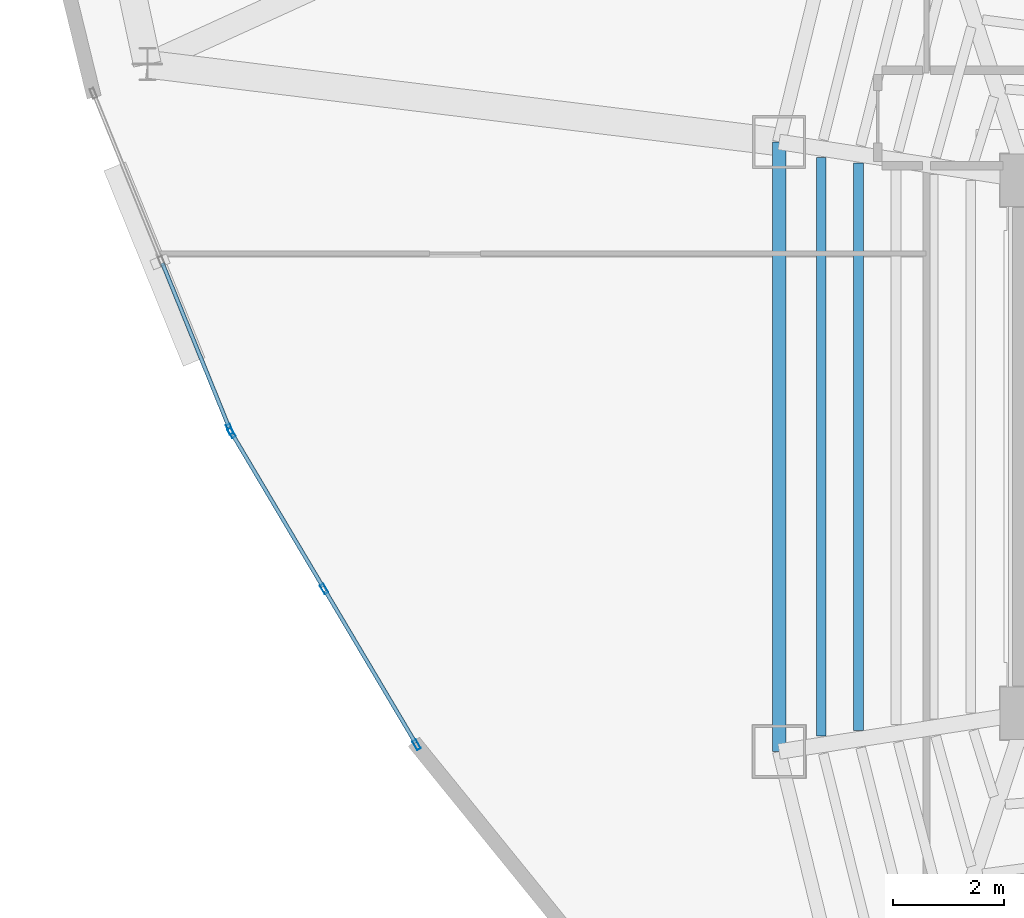
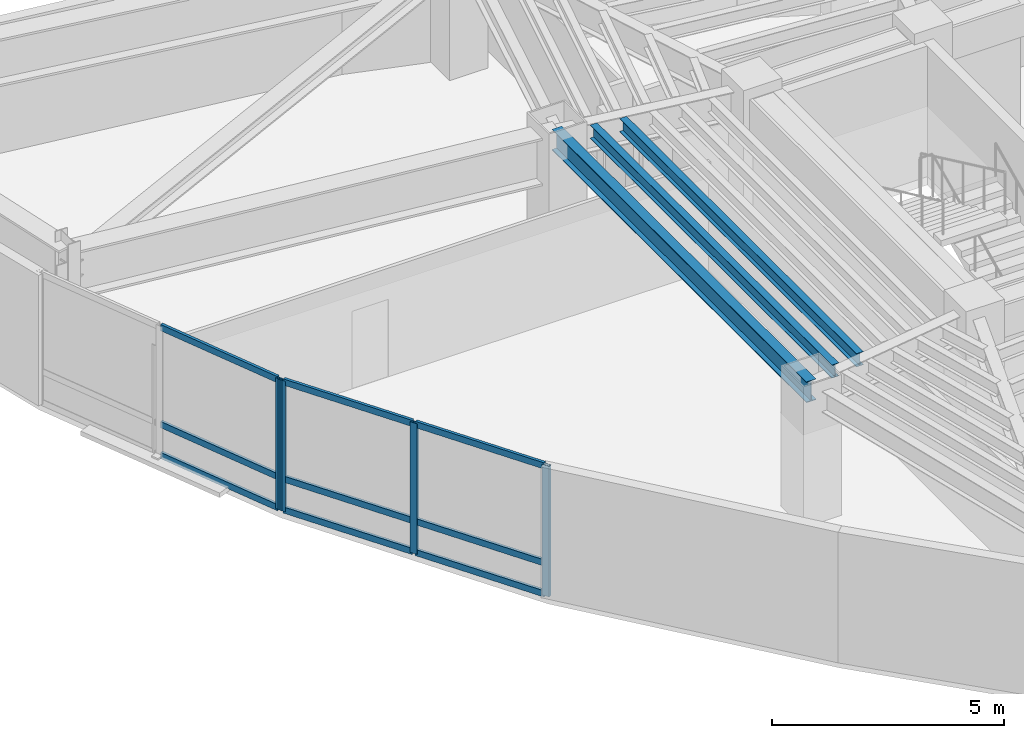
# One storey, part 2 of 16: 13 members, 3 beams, 2 elements without a shape of their own.
"""IFC4 building model written with IfcOpenShell, lengths in metres."""

from ifc_helpers import new_model, si_unit, direction, frame, origin, origin_2d, place, context, subcontext, project, spatial, hollow_rectangle, i_section, extrude, material, layer, layer_set, material_profile, profile_set, type_object, element, aggregate, save


model = new_model("IFC4")

# Units and contexts
model_context = context("Model", 3, precision=1e-05, world=origin(), true_north=direction((0.0, 1.0)))
body_context = subcontext(model_context, "Body", "Model", "MODEL_VIEW")
ifc_project = project(units=[si_unit("LENGTHUNIT", "METRE"), si_unit("AREAUNIT", "SQUARE_METRE"), si_unit("VOLUMEUNIT", "CUBIC_METRE"), si_unit("PLANEANGLEUNIT", "RADIAN"), si_unit("MASSUNIT", "GRAM", prefix="KILO")], contexts=[model_context])

# Site, building, storey
site_placement = place(None, origin())
site = spatial("IfcSite", under=ifc_project, at=site_placement, CompositionType="ELEMENT")
building_placement = place(site_placement, origin())
building = spatial("IfcBuilding", under=site, at=building_placement, Name="Menara Vayukalpa", CompositionType="ELEMENT")
storey_placement = place(building_placement, frame((0.0, 0.0, 202.679931640625)))
storey = spatial("IfcBuildingStorey", under=building, at=storey_placement, Name="L51", CompositionType="ELEMENT", Elevation=202.679931640625)

# Beams
ifc_material_1 = material(Name="Steel S355", Category="steel")
ifc_material_profile_1 = material_profile(ifc_material_1, i_section(OverallWidth=0.175048828125, OverallDepth=0.35009765625, WebThickness=0.007080078125, FlangeThickness=0.010986328125, at=origin_2d()), Name="WF 350x175x7x11")
ifc_profile_set_1 = profile_set([ifc_material_profile_1], Name="Steel S355")
beam_type_1 = type_object("IfcBeamType", Name="BM-SJ3", PredefinedType="JOIST", material=ifc_profile_set_1)
beam_1_placement = place(storey_placement, frame((14.77490234375, 27.10791015625, 3.26513671875), z_axis=(0.0, -1.0, 0.0), x_axis=(1.0, 0.0, 0.0)))
element("IfcBeam", 1, at=beam_1_placement, inside=storey, type_object=beam_type_1, Name="L51 Secondary Floor Joist SJ05-4", PredefinedType="JOIST", context=body_context, shape_type="SweptSolid", body=[
    extrude(i_section(OverallWidth=0.175048828125, OverallDepth=0.35009765625, WebThickness=0.007080078125, FlangeThickness=0.010986328125, at=origin_2d()), origin(), (0.0, 0.0, 1.0), 10.2158203125),
])
beam_2_placement = place(storey_placement, frame((14.1015625, 27.2119140625, 3.26513671875), z_axis=(0.0, -1.0, 0.0), x_axis=(1.0, 0.0, 0.0)))
element("IfcBeam", 2, at=beam_2_placement, inside=storey, type_object=beam_type_1, Name="L51 Secondary Floor Joist SJ05-5", PredefinedType="JOIST", context=body_context, shape_type="SweptSolid", body=[
    extrude(i_section(OverallWidth=0.175048828125, OverallDepth=0.35009765625, WebThickness=0.007080078125, FlangeThickness=0.010986328125, at=origin_2d()), origin(), (0.0, 0.0, 1.0), 10.423828125),
])
ifc_material_2 = material(Name="Steel S355", Category="steel")
ifc_material_profile_2 = material_profile(ifc_material_2, i_section(OverallWidth=0.239990234375, OverallDepth=0.550048828125, WebThickness=0.010986328125, FlangeThickness=0.01904296875, at=origin_2d()), Name="WF 550x240x11x19")
ifc_profile_set_2 = profile_set([ifc_material_profile_2], Name="Steel S355")
beam_type_2 = type_object("IfcBeamType", Name="BM-SP2", PredefinedType="SPANDREL", material=ifc_profile_set_2)
beam_3_placement = place(storey_placement, frame((13.343994140625, 27.4892578125, 3.1650390625), z_axis=(0.0, -1.0, 0.0), x_axis=(1.0, 0.0, 0.0)))
element("IfcBeam", 3, at=beam_3_placement, inside=storey, type_object=beam_type_2, Name="L51 Perimeter Spandrel Beam SP05", PredefinedType="SPANDREL", context=body_context, shape_type="SweptSolid", body=[
    extrude(i_section(OverallWidth=0.239990234375, OverallDepth=0.550048828125, WebThickness=0.010986328125, FlangeThickness=0.01904296875, at=origin_2d()), origin(), (0.0, 0.0, 1.0), 10.978515625),
])

# Curtain wall, member
ifc_material_3 = material(Name="Anodised Terracotta Aluminium Alloy 6063-T6", Category="masonry")
ifc_layer = layer(ifc_material_3, 0.179931640625)
ifc_layer_set = layer_set([ifc_layer], Name="Anodised Terracotta Aluminium Alloy 6063-T6")
curtain_wall_type = type_object("IfcCurtainWallType", Name="CW-CW4", PredefinedType="USERDEFINED", material=ifc_layer_set)
curtain_wall_1_placement = place(storey_placement, origin())
curtain_wall_1 = element("IfcCurtainWall", 4, at=curtain_wall_1_placement, inside=storey, type_object=curtain_wall_type, Name="L51 Sky Bar Cantilever Glazed Curtain Wall CW4 13", ObjectType="UNITISED", PredefinedType="USERDEFINED")
ifc_material_4 = material(Name="Anodised Terracotta Aluminium Alloy 6063-T6", Category="masonry")
ifc_material_profile_3 = material_profile(ifc_material_4, hollow_rectangle(XDim=0.074951171875, YDim=0.179931640625, WallThickness=0.00390625, at=origin_2d()), Name="ALU 75x180x4")
ifc_profile_set_3 = profile_set([ifc_material_profile_3], Name="Anodised Terracotta Aluminium Alloy 6063-T6")
member_type_1 = type_object("IfcMemberType", Name="CWM-CW4", PredefinedType="MULLION", material=ifc_profile_set_3)
member_1_placement = place(storey_placement, frame((3.450927734375, 22.3154296875, 0.0), z_axis=(0.0, 0.0, 1.0), x_axis=(0.926582183577, 0.376092351793, 0.0)))
member_1 = element("IfcMember", 5, at=member_1_placement, type_object=member_type_1, Name="CW4 mullion 3", PredefinedType="MULLION", context=body_context, shape_type="SweptSolid", body=[
    extrude(hollow_rectangle(XDim=0.074951171875, YDim=0.179931640625, WallThickness=0.00390625, at=origin_2d()), origin(), (0.0, 0.0, 1.0), 3.440185546875),
])

# Curtain wall, members
curtain_wall_2_placement = place(storey_placement, origin())
curtain_wall_2 = element("IfcCurtainWall", 6, at=curtain_wall_2_placement, inside=storey, type_object=curtain_wall_type, Name="L51 Sky Bar Cantilever Glazed Curtain Wall CW4 14", ObjectType="UNITISED", PredefinedType="USERDEFINED")
member_2_placement = place(storey_placement, frame((3.484130859375, 22.248291015625, 0.0), z_axis=(0.0, 0.0, 1.0), x_axis=(0.86012006921, 0.510091625634, 0.0)))
member_2 = element("IfcMember", 7, at=member_2_placement, type_object=member_type_1, Name="CW4 mullion 1", PredefinedType="MULLION", context=body_context, shape_type="SweptSolid", body=[
    extrude(hollow_rectangle(XDim=0.074951171875, YDim=0.179931640625, WallThickness=0.00390625, at=origin_2d()), origin(), (0.0, 0.0, 1.0), 3.440185546875),
])
member_3_placement = place(storey_placement, frame((5.149658203125, 19.440185546875, 0.0), z_axis=(0.0, 0.0, 1.0), x_axis=(0.86012006921, 0.510091625634, 0.0)))
member_3 = element("IfcMember", 8, at=member_3_placement, type_object=member_type_1, Name="CW4 mullion 2", PredefinedType="MULLION", context=body_context, shape_type="SweptSolid", body=[
    extrude(hollow_rectangle(XDim=0.074951171875, YDim=0.179931640625, WallThickness=0.00390625, at=origin_2d()), origin(), (0.0, 0.0, 1.0), 3.440185546875),
])
member_4_placement = place(storey_placement, frame((6.81494140625, 16.6318359375, 0.0), z_axis=(0.0, 0.0, 1.0), x_axis=(0.86012006921, 0.510091625634, 0.0)))
member_4 = element("IfcMember", 9, at=member_4_placement, type_object=member_type_1, Name="CW4 mullion 3", PredefinedType="MULLION", context=body_context, shape_type="SweptSolid", body=[
    extrude(hollow_rectangle(XDim=0.074951171875, YDim=0.179931640625, WallThickness=0.00390625, at=origin_2d()), origin(), (0.0, 0.0, 1.0), 3.440185546875),
])

# Member
ifc_material_5 = material(Name="Anodised Terracotta Aluminium Alloy 6063-T6", Category="masonry")
ifc_material_profile_4 = material_profile(ifc_material_5, hollow_rectangle(XDim=0.070068359375, YDim=0.1650390625, WallThickness=0.00390625, at=origin_2d()), Name="ALU 70x165x4")
ifc_profile_set_4 = profile_set([ifc_material_profile_4], Name="Anodised Terracotta Aluminium Alloy 6063-T6")
member_type_2 = type_object("IfcMemberType", Name="CWT-CW4", PredefinedType="USERDEFINED", material=ifc_profile_set_4)
member_5_placement = place(storey_placement, frame((2.237060546875, 25.305908203125, 0.03515625), z_axis=(0.376083469559, -0.926585788756, 0.0), x_axis=(0.926585788756, 0.376083469559, 0.0)))
member_5 = element("IfcMember", 10, at=member_5_placement, type_object=member_type_2, Name="CW4 transom 2.1", ObjectType="TRANSOM", PredefinedType="USERDEFINED", context=body_context, shape_type="SweptSolid", body=[
    extrude(hollow_rectangle(XDim=0.070068359375, YDim=0.1650390625, WallThickness=0.00390625, at=origin_2d()), origin(), (0.0, 0.0, 1.0), 3.18994140625),
])

member_6_placement = place(storey_placement, frame((2.237060546875, 25.305908203125, 0.85009765625), z_axis=(0.376083469559, -0.926585788756, 0.0), x_axis=(0.926585788756, 0.376083469559, 0.0)))
member_6 = element("IfcMember", 11, at=member_6_placement, type_object=member_type_2, Name="CW4 transom 2.2", ObjectType="TRANSOM", PredefinedType="USERDEFINED", context=body_context, shape_type="SweptSolid", body=[
    extrude(hollow_rectangle(XDim=0.070068359375, YDim=0.1650390625, WallThickness=0.00390625, at=origin_2d()), origin(), (0.0, 0.0, 1.0), 3.18994140625),
])

member_7_placement = place(storey_placement, frame((2.237060546875, 25.305908203125, 3.405029296875), z_axis=(0.376083469559, -0.926585788756, 0.0), x_axis=(0.926585788756, 0.376083469559, 0.0)))
member_7 = element("IfcMember", 12, at=member_7_placement, type_object=member_type_2, Name="CW4 transom 2.3", ObjectType="TRANSOM", PredefinedType="USERDEFINED", context=body_context, shape_type="SweptSolid", body=[
    extrude(hollow_rectangle(XDim=0.070068359375, YDim=0.1650390625, WallThickness=0.00390625, at=origin_2d()), origin(), (0.0, 0.0, 1.0), 3.18994140625),
])

aggregate(curtain_wall_1, [member_1, member_5, member_6, member_7])

member_8_placement = place(storey_placement, frame((3.503173828125, 22.216064453125, 0.03515625), z_axis=(0.51011075387, -0.86010872498, 0.0), x_axis=(0.86010872498, 0.51011075387, 0.0)))
member_8 = element("IfcMember", 13, at=member_8_placement, type_object=member_type_2, Name="CW4 transom 1.1", ObjectType="TRANSOM", PredefinedType="USERDEFINED", context=body_context, shape_type="SweptSolid", body=[
    extrude(hollow_rectangle(XDim=0.070068359375, YDim=0.1650390625, WallThickness=0.00390625, at=origin_2d()), origin(), (0.0, 0.0, 1.0), 3.18994140625),
])

member_9_placement = place(storey_placement, frame((3.503173828125, 22.216064453125, 0.85009765625), z_axis=(0.51011075387, -0.86010872498, 0.0), x_axis=(0.86010872498, 0.51011075387, 0.0)))
member_9 = element("IfcMember", 14, at=member_9_placement, type_object=member_type_2, Name="CW4 transom 1.2", ObjectType="TRANSOM", PredefinedType="USERDEFINED", context=body_context, shape_type="SweptSolid", body=[
    extrude(hollow_rectangle(XDim=0.070068359375, YDim=0.1650390625, WallThickness=0.00390625, at=origin_2d()), origin(), (0.0, 0.0, 1.0), 3.18994140625),
])

member_10_placement = place(storey_placement, frame((3.503173828125, 22.216064453125, 3.405029296875), z_axis=(0.51011075387, -0.86010872498, 0.0), x_axis=(0.86010872498, 0.51011075387, 0.0)))
member_10 = element("IfcMember", 15, at=member_10_placement, type_object=member_type_2, Name="CW4 transom 1.3", ObjectType="TRANSOM", PredefinedType="USERDEFINED", context=body_context, shape_type="SweptSolid", body=[
    extrude(hollow_rectangle(XDim=0.070068359375, YDim=0.1650390625, WallThickness=0.00390625, at=origin_2d()), origin(), (0.0, 0.0, 1.0), 3.18994140625),
])

member_11_placement = place(storey_placement, frame((5.168701171875, 19.407958984375, 0.03515625), z_axis=(0.510077175578, -0.860128638608, 0.0), x_axis=(0.860128638608, 0.510077175578, 0.0)))
member_11 = element("IfcMember", 16, at=member_11_placement, type_object=member_type_2, Name="CW4 transom 2.1", ObjectType="TRANSOM", PredefinedType="USERDEFINED", context=body_context, shape_type="SweptSolid", body=[
    extrude(hollow_rectangle(XDim=0.070068359375, YDim=0.1650390625, WallThickness=0.00390625, at=origin_2d()), origin(), (0.0, 0.0, 1.0), 3.190185546875),
])

member_12_placement = place(storey_placement, frame((5.168701171875, 19.407958984375, 0.85009765625), z_axis=(0.510077175578, -0.860128638608, 0.0), x_axis=(0.860128638608, 0.510077175578, 0.0)))
member_12 = element("IfcMember", 17, at=member_12_placement, type_object=member_type_2, Name="CW4 transom 2.2", ObjectType="TRANSOM", PredefinedType="USERDEFINED", context=body_context, shape_type="SweptSolid", body=[
    extrude(hollow_rectangle(XDim=0.070068359375, YDim=0.1650390625, WallThickness=0.00390625, at=origin_2d()), origin(), (0.0, 0.0, 1.0), 3.190185546875),
])

member_13_placement = place(storey_placement, frame((5.168701171875, 19.407958984375, 3.405029296875), z_axis=(0.510077175578, -0.860128638608, 0.0), x_axis=(0.860128638608, 0.510077175578, 0.0)))
member_13 = element("IfcMember", 18, at=member_13_placement, type_object=member_type_2, Name="CW4 transom 2.3", ObjectType="TRANSOM", PredefinedType="USERDEFINED", context=body_context, shape_type="SweptSolid", body=[
    extrude(hollow_rectangle(XDim=0.070068359375, YDim=0.1650390625, WallThickness=0.00390625, at=origin_2d()), origin(), (0.0, 0.0, 1.0), 3.190185546875),
])

aggregate(curtain_wall_2, [member_2, member_3, member_4, member_8, member_9, member_10, member_11, member_12, member_13])

save(model, "model.ifc")
